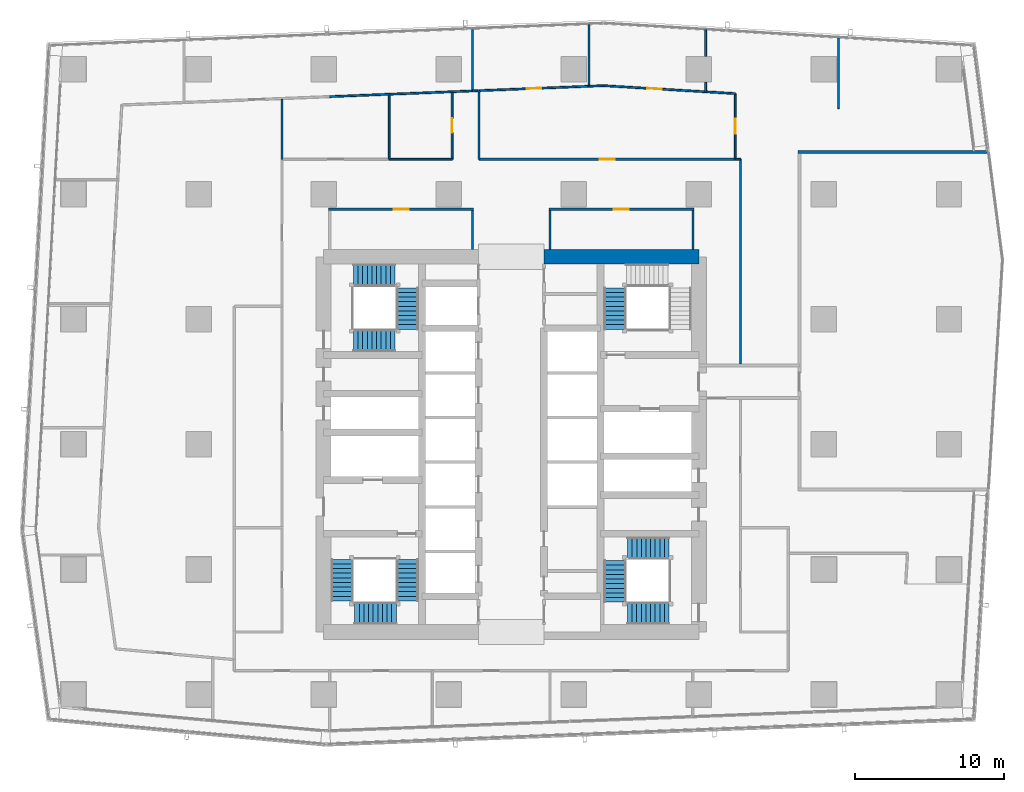
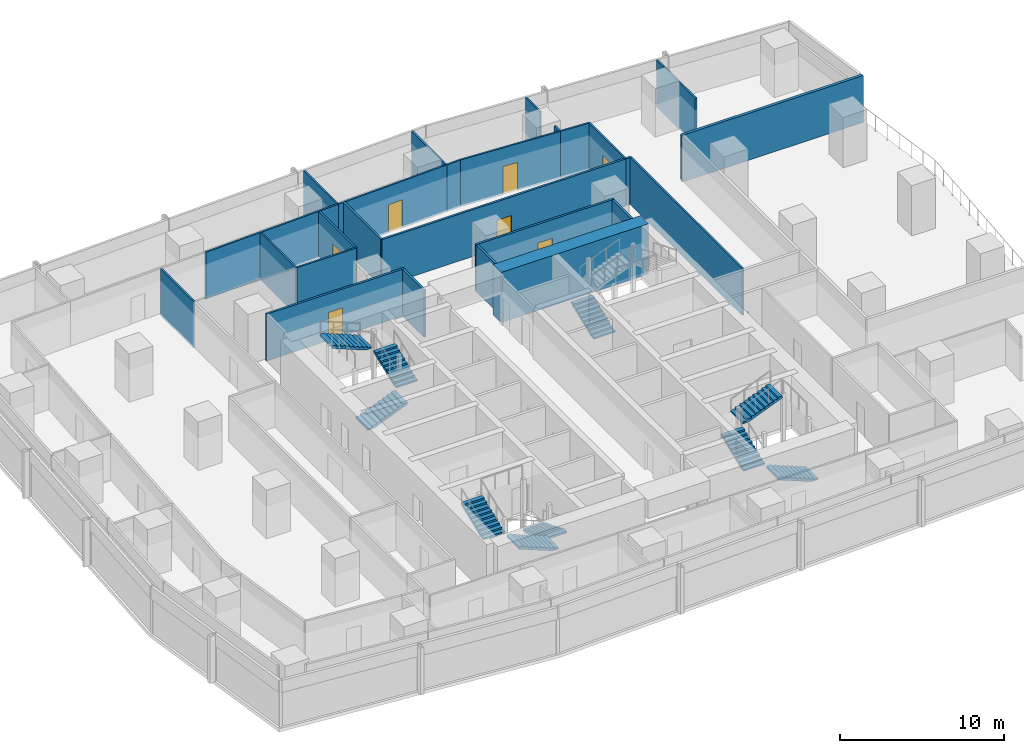
# One storey, part 31 of 40: 27 walls, 10 stair flights, 7 doors, 7 openings, 4 elements without a shape of their own.
"""IFC4 building model written with IfcOpenShell, lengths in metres."""

from ifc_helpers import new_model, si_unit, direction, frame, frame_2d, origin, place, context, subcontext, project, spatial, polyline, rectangle, outline, extrude, material, layer, layer_set, type_object, element, fill, aggregate, save


model = new_model("IFC4")

# Units and contexts
model_context = context("Model", 3, precision=1e-05, world=origin(), true_north=direction((0.0, 1.0)))
body_context = subcontext(model_context, "Body", "Model", "MODEL_VIEW")
ifc_project = project(units=[si_unit("LENGTHUNIT", "METRE"), si_unit("AREAUNIT", "SQUARE_METRE"), si_unit("VOLUMEUNIT", "CUBIC_METRE"), si_unit("PLANEANGLEUNIT", "RADIAN"), si_unit("MASSUNIT", "GRAM", prefix="KILO")], contexts=[model_context])

# Site, building, storey
site_placement = place(None, origin())
site = spatial("IfcSite", under=ifc_project, at=site_placement, CompositionType="ELEMENT")
building_placement = place(site_placement, origin())
building = spatial("IfcBuilding", under=site, at=building_placement, Name="Rekha Terrace Tower", CompositionType="ELEMENT")
storey_placement = place(building_placement, frame((0.0, 0.0, 129.050048828125)))
storey = spatial("IfcBuildingStorey", under=building, at=storey_placement, Name="L32", CompositionType="ELEMENT", Elevation=129.050048828125)

# Wall
ifc_material_1 = material(Name="Concrete M70", Category="concrete")
ifc_layer_1 = layer(ifc_material_1, 1.0)
ifc_layer_set_1 = layer_set([ifc_layer_1], Name="Concrete M70")
wall_type_1 = type_object("IfcWallType", Name="SW2 1000 core outer shear wall", PredefinedType="SHEAR", material=ifc_layer_set_1)
wall_1_placement = place(storey_placement, frame((40.0, 46.199951171875, 0.0), z_axis=(0.0, 0.0, 1.0), x_axis=(1.0, 0.0, 0.0)))
element("IfcWall", 1, at=wall_1_placement, inside=storey, type_object=wall_type_1, Name="Core wall N2 L32", PredefinedType="SHEAR", context=body_context, shape_type="SweptSolid", body=[
    extrude(rectangle(XDim=10.39990234375, YDim=1.0, at=frame_2d((5.199951171875, 0.0))), origin(), (0.0, 0.0, 1.0), 3.75),
])

# Wall, opening, door
ifc_material_2 = material(Name="Concrete block masonry, 1 hour", Category="masonry")
ifc_layer_2 = layer(ifc_material_2, 0.14990234375)
ifc_layer_set_2 = layer_set([ifc_layer_2], Name="Concrete block masonry, 1 hour")
wall_type_2 = type_object("IfcWallType", Name="WP2 150 tenancy partition", PredefinedType="PARTITIONING", material=ifc_layer_set_2)
wall_2_placement = place(storey_placement, frame((40.324951171875, 49.39990234375, 0.0), z_axis=(0.0, 0.0, 1.0), x_axis=(1.0, 0.0, 0.0)))
wall_2 = element("IfcWall", 2, at=wall_2_placement, inside=storey, type_object=wall_type_2, Name="Women's WC wall L32", PredefinedType="PARTITIONING", context=body_context, shape_type="SweptSolid", body=[
    extrude(rectangle(XDim=9.75, YDim=0.14990234375, at=frame_2d((4.875, 0.0))), origin(), (0.0, 0.0, 1.0), 3.5),
])
opening_1_placement = place(wall_2_placement, frame((4.375, 0.0, 0.0)))
opening_1 = element("IfcOpeningElement", 3, at=opening_1_placement, cuts=wall_2, Name="Opening D3", PredefinedType="OPENING", context=body_context, shape_type="SweptSolid", body=[
    extrude(rectangle(XDim=1.0, YDim=2.10009765625, at=frame_2d((0.5, 1.050048828125))), frame((0.0, 0.0849609375, 0.0), z_axis=(0.0, -1.0, 0.0), x_axis=(1.0, 0.0, 0.0)), (0.0, 0.0, 1.0), 0.169921875),
])
ifc_material_3 = material(Name="Laminated timber fire door", Category="wood")
door_type_1 = type_object("IfcDoorType", Name="D3 1000x2100 WC door", OperationType="SINGLE_SWING_LEFT", PredefinedType="DOOR", material=ifc_material_3)
door_1_placement = place(opening_1_placement, origin())
door_1 = element("IfcDoor", 4, at=door_1_placement, inside=storey, type_object=door_type_1, Name="Door women's wc L32", OperationType="SINGLE_SWING_LEFT", OverallHeight=2.10009765625, OverallWidth=1.0, PredefinedType="DOOR", context=body_context, shape_type="SweptSolid", body=[
    extrude(rectangle(XDim=1.0, YDim=2.10009765625, at=frame_2d((0.5, 1.050048828125))), frame((0.0, 0.02490234375, 0.0), z_axis=(0.0, -1.0, 0.0), x_axis=(1.0, 0.0, 0.0)), (0.0, 0.0, 1.0), 0.050048828125),
])
fill(opening_1, door_1)

# Walls
for number, where, z_axis, x_axis, name in (
    (5, (40.39990234375, 46.699951171875, 0.0), (0.0, 0.0, 1.0), (0.0, 1.0, 0.0), "Women's WC wall L32"),
    (6, (50.0, 46.699951171875, 0.0), (0.0, 0.0, 1.0), (0.0, 1.0, 0.0), "Women's WC wall L32"),
):
    element("IfcWall", number, at=place(storey_placement, frame(where, z_axis=z_axis, x_axis=x_axis)), inside=storey, type_object=wall_type_2, Name=name, PredefinedType="PARTITIONING", context=body_context, shape_type="SweptSolid", body=[
        extrude(rectangle(XDim=2.625, YDim=0.14990234375, at=frame_2d((1.3125, 0.0))), origin(), (0.0, 0.0, 1.0), 3.5),
    ])

# Wall, opening, door
wall_3_placement = place(storey_placement, frame((25.52490234375, 49.39990234375, 0.0), z_axis=(0.0, 0.0, 1.0), x_axis=(1.0, 0.0, 0.0)))
wall_3 = element("IfcWall", 7, at=wall_3_placement, inside=storey, type_object=wall_type_2, Name="Women's WC wall L32", PredefinedType="PARTITIONING", context=body_context, shape_type="SweptSolid", body=[
    extrude(rectangle(XDim=9.75, YDim=0.14990234375, at=frame_2d((4.875, 0.0))), origin(), (0.0, 0.0, 1.0), 3.5),
])
opening_2_placement = place(wall_3_placement, frame((4.375, 0.0, 0.0)))
opening_2 = element("IfcOpeningElement", 8, at=opening_2_placement, cuts=wall_3, Name="Opening D3", PredefinedType="OPENING", context=body_context, shape_type="SweptSolid", body=[
    extrude(rectangle(XDim=1.0, YDim=2.10009765625, at=frame_2d((0.5, 1.050048828125))), frame((0.0, 0.0849609375, 0.0), z_axis=(0.0, -1.0, 0.0), x_axis=(1.0, 0.0, 0.0)), (0.0, 0.0, 1.0), 0.169921875),
])
door_2_placement = place(opening_2_placement, origin())
door_2 = element("IfcDoor", 9, at=door_2_placement, inside=storey, type_object=door_type_1, Name="Door women's wc L32", OperationType="SINGLE_SWING_LEFT", OverallHeight=2.10009765625, OverallWidth=1.0, PredefinedType="DOOR", context=body_context, shape_type="SweptSolid", body=[
    extrude(rectangle(XDim=1.0, YDim=2.10009765625, at=frame_2d((0.5, 1.050048828125))), frame((0.0, 0.02490234375, 0.0), z_axis=(0.0, -1.0, 0.0), x_axis=(1.0, 0.0, 0.0)), (0.0, 0.0, 1.0), 0.050048828125),
])
fill(opening_2, door_2)

# Wall
wall_4_placement = place(storey_placement, frame((35.199951171875, 46.699951171875, 0.0), z_axis=(0.0, 0.0, 1.0), x_axis=(0.0, 1.0, 0.0)))
element("IfcWall", 10, at=wall_4_placement, inside=storey, type_object=wall_type_2, Name="Women's WC wall L32", PredefinedType="PARTITIONING", context=body_context, shape_type="SweptSolid", body=[
    extrude(rectangle(XDim=2.625, YDim=0.14990234375, at=frame_2d((1.3125, 0.0))), origin(), (0.0, 0.0, 1.0), 3.5),
])

# Wall, opening, door
wall_5_placement = place(storey_placement, frame((52.84912109375, 52.75, 0.0), z_axis=(0.0, 0.0, 1.0), x_axis=(-1.0, 0.0, 0.0)))
wall_5 = element("IfcWall", 11, at=wall_5_placement, inside=storey, type_object=wall_type_2, Name="Partition L32-O2", PredefinedType="PARTITIONING", context=body_context, shape_type="SweptSolid", body=[
    extrude(rectangle(XDim=17.22314453125, YDim=0.14990234375, at=frame_2d((8.611572265625, 0.0))), origin(), (0.0, 0.0, 1.0), 3.5),
])
opening_3_placement = place(wall_5_placement, frame((8.111083984375, 0.0, 0.0)))
opening_3 = element("IfcOpeningElement", 12, at=opening_3_placement, cuts=wall_5, Name="Opening D9", PredefinedType="OPENING", context=body_context, shape_type="SweptSolid", body=[
    extrude(rectangle(XDim=1.0, YDim=2.10009765625, at=frame_2d((0.5, 1.050048828125))), frame((0.0, 0.0849609375, 0.0), z_axis=(0.0, -1.0, 0.0), x_axis=(1.0, 0.0, 0.0)), (0.0, 0.0, 1.0), 0.169921875),
])
ifc_material_4 = material(Name="Timber fire door", Category="wood")
door_type_2 = type_object("IfcDoorType", Name="D9 1000x2100 office door", OperationType="SINGLE_SWING_LEFT", PredefinedType="DOOR", material=ifc_material_4)
door_3_placement = place(opening_3_placement, origin())
door_3 = element("IfcDoor", 13, at=door_3_placement, inside=storey, type_object=door_type_2, Name="Door open-plan office L32", OperationType="SINGLE_SWING_LEFT", OverallHeight=2.10009765625, OverallWidth=1.0, PredefinedType="DOOR", context=body_context, shape_type="SweptSolid", body=[
    extrude(rectangle(XDim=1.0, YDim=2.10009765625, at=frame_2d((0.5, 1.050048828125))), frame((0.0, 0.02490234375, 0.0), z_axis=(0.0, -1.0, 0.0), x_axis=(1.0, 0.0, 0.0)), (0.0, 0.0, 1.0), 0.050048828125),
])
fill(opening_3, door_3)

# Walls
wall_6_placement = place(storey_placement, frame((35.6259765625, 52.75, 0.0), z_axis=(0.0, 0.0, 1.0), x_axis=(0.0, 1.0, 0.0)))
element("IfcWall", 14, at=wall_6_placement, inside=storey, type_object=wall_type_2, Name="Partition L32-O2", PredefinedType="PARTITIONING", context=body_context, shape_type="SweptSolid", body=[
    extrude(rectangle(XDim=4.610107421875, YDim=0.14990234375, at=frame_2d((2.30517578125, 0.0))), origin(), (0.0, 0.0, 1.0), 3.5),
])
ifc_material_5 = material(Name="Two layers of fire-rated gypsum board each side on steel studs, acoustic quilt, 1 hour", Category="steel")
ifc_layer_3 = layer(ifc_material_5, 0.125)
ifc_layer_set_3 = layer_set([ifc_layer_3], Name="Two layers of fire-rated gypsum board each side on steel studs, acoustic quilt, 1 hour")
wall_type_3 = type_object("IfcWallType", Name="WP3 125 office partition", PredefinedType="PARTITIONING", material=ifc_layer_set_3)
wall_7_placement = place(storey_placement, frame((53.199951171875, 39.010986328125, 0.0), z_axis=(0.0, 0.0, 1.0), x_axis=(0.0, 1.0, 0.0)))
element("IfcWall", 15, at=wall_7_placement, inside=storey, type_object=wall_type_3, Name="Partition L32-03", PredefinedType="PARTITIONING", context=body_context, shape_type="SweptSolid", body=[
    extrude(rectangle(XDim=13.739013671875, YDim=0.125, at=frame_2d((6.86962890625, 0.0))), origin(), (0.0, 0.0, 1.0), 3.5),
])
wall_8_placement = place(storey_placement, frame((53.199951171875, 52.75, 0.0), z_axis=(0.0, 0.0, 1.0), x_axis=(-1.0, 0.0, 0.0)))
element("IfcWall", 16, at=wall_8_placement, inside=storey, type_object=wall_type_3, Name="Partition L32-03", PredefinedType="PARTITIONING", context=body_context, shape_type="SweptSolid", body=[
    extrude(rectangle(XDim=0.350830078125, YDim=0.125, at=frame_2d((0.17529296875, 0.0))), origin(), (0.0, 0.0, 1.0), 3.5),
])

# Wall, opening, door
wall_9_placement = place(storey_placement, frame((52.84912109375, 52.75, 0.0), z_axis=(0.0, 0.0, 1.0), x_axis=(0.0, 1.0, 0.0)))
wall_9 = element("IfcWall", 17, at=wall_9_placement, inside=storey, type_object=wall_type_3, Name="Partition L32-03", PredefinedType="PARTITIONING", context=body_context, shape_type="SweptSolid", body=[
    extrude(rectangle(XDim=4.4130859375, YDim=0.125, at=frame_2d((2.20654296875, 0.0))), origin(), (0.0, 0.0, 1.0), 3.5),
])
opening_4_placement = place(wall_9_placement, frame((1.7060546875, 0.0, 0.0)))
opening_4 = element("IfcOpeningElement", 18, at=opening_4_placement, cuts=wall_9, Name="Opening D9", PredefinedType="OPENING", context=body_context, shape_type="SweptSolid", body=[
    extrude(rectangle(XDim=1.0, YDim=2.10009765625, at=frame_2d((0.5, 1.050048828125))), frame((0.0, 0.072509765625, 0.0), z_axis=(0.0, -1.0, 0.0), x_axis=(1.0, 0.0, 0.0)), (0.0, 0.0, 1.0), 0.14501953125),
])
door_4_placement = place(opening_4_placement, origin())
door_4 = element("IfcDoor", 19, at=door_4_placement, inside=storey, type_object=door_type_2, Name="Door director's office L32", OperationType="SINGLE_SWING_LEFT", OverallHeight=2.10009765625, OverallWidth=1.0, PredefinedType="DOOR", context=body_context, shape_type="SweptSolid", body=[
    extrude(rectangle(XDim=1.0, YDim=2.10009765625, at=frame_2d((0.5, 1.050048828125))), frame((0.0, 0.02490234375, 0.0), z_axis=(0.0, -1.0, 0.0), x_axis=(1.0, 0.0, 0.0)), (0.0, 0.0, 1.0), 0.050048828125),
])
fill(opening_4, door_4)

# Walls
wall_10_placement = place(storey_placement, frame((52.84912109375, 57.1630859375, 0.0), z_axis=(0.0, 0.0, 1.0), x_axis=(-0.998201632436, 0.059945817212, 0.0)))
element("IfcWall", 20, at=wall_10_placement, inside=storey, type_object=wall_type_3, Name="Partition L32-03", PredefinedType="PARTITIONING", context=body_context, shape_type="SweptSolid", body=[
    extrude(rectangle(XDim=1.999755859375, YDim=0.125, at=frame_2d((1.0, 0.0))), origin(), (0.0, 0.0, 1.0), 3.5),
])
wall_11_placement = place(storey_placement, frame((50.85302734375, 57.282958984375, 0.0), z_axis=(0.0, 0.0, 1.0), x_axis=(0.0, 1.0, 0.0)))
element("IfcWall", 21, at=wall_11_placement, inside=storey, type_object=wall_type_3, Name="Partition L32-03", PredefinedType="PARTITIONING", context=body_context, shape_type="SweptSolid", body=[
    extrude(rectangle(XDim=0.64697265625, YDim=0.125, at=frame_2d((0.323486328125, 0.0))), origin(), (0.0, 0.0, 1.0), 3.5),
])
wall_12_placement = place(storey_placement, frame((50.85302734375, 59.669921875, 0.0), z_axis=(0.0, 0.0, 1.0), x_axis=(0.0, 1.0, 0.0)))
element("IfcWall", 22, at=wall_12_placement, inside=storey, type_object=wall_type_3, Name="Partition L32-03", PredefinedType="PARTITIONING", context=body_context, shape_type="SweptSolid", body=[
    extrude(rectangle(XDim=1.77001953125, YDim=0.125, at=frame_2d((0.885009765625, 0.0))), origin(), (0.0, 0.0, 1.0), 3.5),
])
wall_13_placement = place(storey_placement, frame((59.787109375, 60.903076171875, 0.0), z_axis=(0.0, 0.0, 1.0), x_axis=(0.0, -1.0, 0.0)))
element("IfcWall", 23, at=wall_13_placement, inside=storey, type_object=wall_type_3, Name="Partition L32-03", PredefinedType="PARTITIONING", context=body_context, shape_type="SweptSolid", body=[
    extrude(rectangle(XDim=4.7490234375, YDim=0.125, at=frame_2d((2.37451171875, 0.0))), origin(), (0.0, 0.0, 1.0), 3.5),
])
wall_14_placement = place(storey_placement, frame((43.02392578125, 57.656005859375, 0.0), z_axis=(0.0, 0.0, 1.0), x_axis=(0.0, 1.0, 0.0)))
element("IfcWall", 24, at=wall_14_placement, inside=storey, type_object=wall_type_3, Name="Partition L32-04", PredefinedType="PARTITIONING", context=body_context, shape_type="SweptSolid", body=[
    extrude(rectangle(XDim=4.153076171875, YDim=0.125, at=frame_2d((2.07666015625, 0.0))), origin(), (0.0, 0.0, 1.0), 3.5),
])

# Wall, opening, door
wall_15_placement = place(storey_placement, frame((50.85205078125, 57.282958984375, 0.0), z_axis=(0.0, 0.0, 1.0), x_axis=(-0.998198294197, 0.060001378841, 0.0)))
wall_15 = element("IfcWall", 25, at=wall_15_placement, inside=storey, type_object=wall_type_3, Name="Partition L32-04", PredefinedType="PARTITIONING", context=body_context, shape_type="SweptSolid", body=[
    extrude(rectangle(XDim=6.868408203125, YDim=0.125, at=frame_2d((3.43408203125, 0.0))), origin(), (0.0, 0.0, 1.0), 3.5),
])
opening_5_placement = place(wall_15_placement, frame((2.93408203125, 0.0, 0.0)))
opening_5 = element("IfcOpeningElement", 26, at=opening_5_placement, cuts=wall_15, Name="Opening D9", PredefinedType="OPENING", context=body_context, shape_type="SweptSolid", body=[
    extrude(rectangle(XDim=1.0, YDim=2.10009765625, at=frame_2d((0.5, 1.050048828125))), frame((0.0, 0.072509765625, 0.0), z_axis=(0.0, -1.0, 0.0), x_axis=(1.0, 0.0, 0.0)), (0.0, 0.0, 1.0), 0.14501953125),
])
door_5_placement = place(opening_5_placement, origin())
door_5 = element("IfcDoor", 27, at=door_5_placement, inside=storey, type_object=door_type_2, Name="Door office L32", OperationType="SINGLE_SWING_LEFT", OverallHeight=2.10009765625, OverallWidth=1.0, PredefinedType="DOOR", context=body_context, shape_type="SweptSolid", body=[
    extrude(rectangle(XDim=1.0, YDim=2.10009765625, at=frame_2d((0.5, 1.050048828125))), frame((0.0, 0.02490234375, 0.0), z_axis=(0.0, -1.0, 0.0), x_axis=(1.0, 0.0, 0.0)), (0.0, 0.0, 1.0), 0.050048828125),
])
fill(opening_5, door_5)

# Walls
wall_16_placement = place(storey_placement, frame((43.99609375, 57.695068359375, 0.0), z_axis=(0.0, 0.0, 1.0), x_axis=(-0.99919372727, -0.040148416967, 0.0)))
element("IfcWall", 28, at=wall_16_placement, inside=storey, type_object=wall_type_3, Name="Partition L32-04", PredefinedType="PARTITIONING", context=body_context, shape_type="SweptSolid", body=[
    extrude(rectangle(XDim=0.972900390625, YDim=0.125, at=frame_2d((0.486328125, 0.0))), origin(), (0.0, 0.0, 1.0), 3.5),
])
wall_17_placement = place(storey_placement, frame((35.551025390625, 57.35595703125, 0.0), z_axis=(0.0, 0.0, 1.0), x_axis=(-0.999219665836, -0.039497587346, 0.0)))
element("IfcWall", 29, at=wall_17_placement, inside=storey, type_object=wall_type_3, Name="Partition L32-05", PredefinedType="PARTITIONING", context=body_context, shape_type="SweptSolid", body=[
    extrude(rectangle(XDim=0.352294921875, YDim=0.125, at=frame_2d((0.17626953125, 0.0))), origin(), (0.0, 0.0, 1.0), 3.5),
])
wall_18_placement = place(storey_placement, frame((35.198974609375, 57.342041015625, 0.0), z_axis=(0.0, 0.0, 1.0), x_axis=(0.0, 1.0, 0.0)))
element("IfcWall", 30, at=wall_18_placement, inside=storey, type_object=wall_type_3, Name="Partition L32-05", PredefinedType="PARTITIONING", context=body_context, shape_type="SweptSolid", body=[
    extrude(rectangle(XDim=4.1240234375, YDim=0.125, at=frame_2d((2.06201171875, 0.0))), origin(), (0.0, 0.0, 1.0), 3.5),
])

# Wall, opening, door
wall_19_placement = place(storey_placement, frame((43.02294921875, 57.656005859375, 0.0), z_axis=(0.0, 0.0, 1.0), x_axis=(-0.999200853354, -0.039970672462, 0.0)))
wall_19 = element("IfcWall", 31, at=wall_19_placement, inside=storey, type_object=wall_type_3, Name="Partition L32-05", PredefinedType="PARTITIONING", context=body_context, shape_type="SweptSolid", body=[
    extrude(rectangle(XDim=7.40283203125, YDim=0.125, at=frame_2d((3.701416015625, 0.0))), origin(), (0.0, 0.0, 1.0), 3.5),
])
opening_6_placement = place(wall_19_placement, frame((3.200927734375, 0.0, 0.0)))
opening_6 = element("IfcOpeningElement", 32, at=opening_6_placement, cuts=wall_19, Name="Opening D9", PredefinedType="OPENING", context=body_context, shape_type="SweptSolid", body=[
    extrude(rectangle(XDim=1.0, YDim=2.10009765625, at=frame_2d((0.5, 1.050048828125))), frame((0.0, 0.072509765625, 0.0), z_axis=(0.0, -1.0, 0.0), x_axis=(1.0, 0.0, 0.0)), (0.0, 0.0, 1.0), 0.14501953125),
])
door_6_placement = place(opening_6_placement, origin())
door_6 = element("IfcDoor", 33, at=door_6_placement, inside=storey, type_object=door_type_2, Name="Door office L32", OperationType="SINGLE_SWING_LEFT", OverallHeight=2.10009765625, OverallWidth=1.0, PredefinedType="DOOR", context=body_context, shape_type="SweptSolid", body=[
    extrude(rectangle(XDim=1.0, YDim=2.10009765625, at=frame_2d((0.5, 1.050048828125))), frame((0.0, 0.02490234375, 0.0), z_axis=(0.0, -1.0, 0.0), x_axis=(1.0, 0.0, 0.0)), (0.0, 0.0, 1.0), 0.050048828125),
])
fill(opening_6, door_6)

# Walls
wall_20_placement = place(storey_placement, frame((35.197998046875, 57.342041015625, 0.0), z_axis=(0.0, 0.0, 1.0), x_axis=(-0.99920063391, -0.039976157823, 0.0)))
element("IfcWall", 34, at=wall_20_placement, inside=storey, type_object=wall_type_3, Name="Partition L32-06", PredefinedType="PARTITIONING", context=body_context, shape_type="SweptSolid", body=[
    extrude(rectangle(XDim=9.6064453125, YDim=0.125, at=frame_2d((4.80322265625, 0.0))), origin(), (0.0, 0.0, 1.0), 3.5),
])
wall_21_placement = place(storey_placement, frame((29.60009765625, 57.055908203125, 0.0), z_axis=(0.0, 0.0, 1.0), x_axis=(0.0, -1.0, 0.0)))
element("IfcWall", 35, at=wall_21_placement, inside=storey, type_object=wall_type_3, Name="Partition L32-09", PredefinedType="PARTITIONING", context=body_context, shape_type="SweptSolid", body=[
    extrude(rectangle(XDim=4.305908203125, YDim=0.125, at=frame_2d((2.15283203125, 0.0))), origin(), (0.0, 0.0, 1.0), 3.5),
])
wall_22_placement = place(storey_placement, frame((22.39990234375, 52.75, 0.0), z_axis=(0.0, 0.0, 1.0), x_axis=(0.0, 1.0, 0.0)))
element("IfcWall", 36, at=wall_22_placement, inside=storey, type_object=wall_type_3, Name="Partition L32-09", PredefinedType="PARTITIONING", context=body_context, shape_type="SweptSolid", body=[
    extrude(rectangle(XDim=4.01708984375, YDim=0.125, at=frame_2d((2.008544921875, 0.0))), origin(), (0.0, 0.0, 1.0), 3.5),
])

# Wall, opening, door
wall_23_placement = place(storey_placement, frame((33.825927734375, 57.22509765625, 0.0), z_axis=(0.0, 0.0, 1.0), x_axis=(0.0, -1.0, 0.0)))
wall_23 = element("IfcWall", 37, at=wall_23_placement, inside=storey, type_object=wall_type_3, Name="Partition L32-10", PredefinedType="PARTITIONING", context=body_context, shape_type="SweptSolid", body=[
    extrude(rectangle(XDim=4.47509765625, YDim=0.125, at=frame_2d((2.237548828125, 0.0))), origin(), (0.0, 0.0, 1.0), 3.5),
])
opening_7_placement = place(wall_23_placement, frame((1.7060546875, 0.0, 0.0)))
opening_7 = element("IfcOpeningElement", 38, at=opening_7_placement, cuts=wall_23, Name="Opening D9", PredefinedType="OPENING", context=body_context, shape_type="SweptSolid", body=[
    extrude(rectangle(XDim=1.0, YDim=2.10009765625, at=frame_2d((0.5, 1.050048828125))), frame((0.0, 0.072509765625, 0.0), z_axis=(0.0, -1.0, 0.0), x_axis=(1.0, 0.0, 0.0)), (0.0, 0.0, 1.0), 0.14501953125),
])
door_7_placement = place(opening_7_placement, origin())
door_7 = element("IfcDoor", 39, at=door_7_placement, inside=storey, type_object=door_type_2, Name="Door prayer room L32", OperationType="SINGLE_SWING_LEFT", OverallHeight=2.10009765625, OverallWidth=1.0, PredefinedType="DOOR", context=body_context, shape_type="SweptSolid", body=[
    extrude(rectangle(XDim=1.0, YDim=2.10009765625, at=frame_2d((0.5, 1.050048828125))), frame((0.0, 0.02490234375, 0.0), z_axis=(0.0, -1.0, 0.0), x_axis=(1.0, 0.0, 0.0)), (0.0, 0.0, 1.0), 0.050048828125),
])
fill(opening_7, door_7)

# Walls
wall_24_placement = place(storey_placement, frame((33.825927734375, 52.75, 0.0), z_axis=(0.0, 0.0, 1.0), x_axis=(-1.0, 0.0, 0.0)))
element("IfcWall", 40, at=wall_24_placement, inside=storey, type_object=wall_type_3, Name="Partition L32-10", PredefinedType="PARTITIONING", context=body_context, shape_type="SweptSolid", body=[
    extrude(rectangle(XDim=4.225830078125, YDim=0.125, at=frame_2d((2.11279296875, 0.0))), origin(), (0.0, 0.0, 1.0), 3.5),
])
ifc_material_6 = material(Name="Solid concrete block masonry, 2 hour", Category="masonry")
ifc_layer_4 = layer(ifc_material_6, 0.199951171875)
ifc_layer_set_4 = layer_set([ifc_layer_4], Name="Solid concrete block masonry, 2 hour")
wall_type_4 = type_object("IfcWallType", Name="WS1 200 stair and shaft enclosure", PredefinedType="PARTITIONING", material=ifc_layer_set_4)
wall_25_placement = place(storey_placement, frame((57.050048828125, 53.22509765625, 0.0), z_axis=(0.0, 0.0, 1.0), x_axis=(1.0, 0.0, 0.0)))
element("IfcWall", 41, at=wall_25_placement, inside=storey, type_object=wall_type_4, Name="Refuge area north wall L32", PredefinedType="PARTITIONING", context=body_context, shape_type="SweptSolid", body=[
    extrude(rectangle(XDim=12.81005859375, YDim=0.199951171875, at=frame_2d((6.405029296875, 0.0))), origin(), (0.0, 0.0, 1.0), 3.5),
])

# Stair, stair flights
ifc_material_7 = material(Name="Concrete M40", Category="concrete")
stair_type = type_object("IfcStairType", Name="ST30 stair, 30 risers of 125, going 310, 1500 wide flights, 3 flights", PredefinedType="HALF_TURN_STAIR", material=ifc_material_7)
stair_1_placement = place(storey_placement, origin())
stair_1 = element("IfcStair", 42, at=stair_1_placement, inside=storey, type_object=stair_type, Name="Stair ST1 L32 to L33", PredefinedType="HALF_TURN_STAIR")
stair_flight_type = type_object("IfcStairFlightType", Name="SF10 stair flight, 10 risers of 125, going 310, 1500 wide", PredefinedType="STRAIGHT", material=ifc_material_7)
stair_flight_1_placement = place(storey_placement, frame((30.824951171875, 25.875, 0.0), z_axis=(0.0, 0.0, 1.0), x_axis=(0.0, -1.0, 0.0)))
stair_flight_1 = element("IfcStairFlight", 43, at=stair_flight_1_placement, type_object=stair_flight_type, Name="ST1 flight 1", NumberOfRisers=10, NumberOfTreads=9, PredefinedType="STRAIGHT", RiserHeight=0.125, TreadLength=0.31, context=body_context, shape_type="SweptSolid", body=[
    extrude(outline(polyline([(0.0, 0.0), (0.0, 0.125), (0.31005859375, 0.125), (0.31005859375, 0.25), (0.6201171875, 0.25), (0.6201171875, 0.375), (0.929931640625, 0.375), (0.929931640625, 0.5), (1.239990234375, 0.5), (1.239990234375, 0.625), (1.550048828125, 0.625), (1.550048828125, 0.75), (1.860107421875, 0.75), (1.860107421875, 0.875), (2.169921875, 0.875), (2.169921875, 1.0), (2.47998046875, 1.0), (2.47998046875, 1.125), (2.7900390625, 1.125), (2.7900390625, 1.25), (2.7900390625, 0.96337890625), (0.40087890625, 0.0), (0.0, 0.0)])), frame((0.0, 0.75, 0.0), z_axis=(0.0, -1.0, 0.0), x_axis=(1.0, 0.0, 0.0)), (0.0, 0.0, 1.0), 1.5),
])
stair_flight_2_placement = place(storey_placement, frame((30.074951171875, 22.25, 1.25), z_axis=(0.0, 0.0, 1.0), x_axis=(-1.0, 0.0, 0.0)))
stair_flight_2 = element("IfcStairFlight", 44, at=stair_flight_2_placement, type_object=stair_flight_type, Name="ST1 flight 2", NumberOfRisers=10, NumberOfTreads=9, PredefinedType="STRAIGHT", RiserHeight=0.125, TreadLength=0.31, context=body_context, shape_type="SweptSolid", body=[
    extrude(outline(polyline([(0.0, 0.0), (0.0, 0.125), (0.31005859375, 0.125), (0.31005859375, 0.25), (0.6201171875, 0.25), (0.6201171875, 0.375), (0.929931640625, 0.375), (0.929931640625, 0.5), (1.239990234375, 0.5), (1.239990234375, 0.625), (1.550048828125, 0.625), (1.550048828125, 0.75), (1.860107421875, 0.75), (1.860107421875, 0.875), (2.169921875, 0.875), (2.169921875, 1.0), (2.47998046875, 1.0), (2.47998046875, 1.125), (2.7900390625, 1.125), (2.7900390625, 1.25), (2.7900390625, 0.96337890625), (0.40087890625, 0.0), (0.0, 0.0)])), frame((0.0, 0.75, 0.0), z_axis=(0.0, -1.0, 0.0), x_axis=(1.0, 0.0, 0.0)), (0.0, 0.0, 1.0), 1.5),
])
stair_flight_3_placement = place(storey_placement, frame((26.449951171875, 23.0849609375, 2.5), z_axis=(0.0, 0.0, 1.0), x_axis=(0.0, 1.0, 0.0)))
stair_flight_3 = element("IfcStairFlight", 45, at=stair_flight_3_placement, type_object=stair_flight_type, Name="ST1 flight 3", NumberOfRisers=10, NumberOfTreads=9, PredefinedType="STRAIGHT", RiserHeight=0.125, TreadLength=0.31, context=body_context, shape_type="SweptSolid", body=[
    extrude(outline(polyline([(0.0, 0.0), (0.0, 0.125), (0.31005859375, 0.125), (0.31005859375, 0.25), (0.6201171875, 0.25), (0.6201171875, 0.375), (0.929931640625, 0.375), (0.929931640625, 0.5), (1.239990234375, 0.5), (1.239990234375, 0.625), (1.550048828125, 0.625), (1.550048828125, 0.75), (1.860107421875, 0.75), (1.860107421875, 0.875), (2.169921875, 0.875), (2.169921875, 1.0), (2.47998046875, 1.0), (2.47998046875, 1.125), (2.7900390625, 1.125), (2.7900390625, 1.25), (2.7900390625, 0.96337890625), (0.40087890625, 0.0), (0.0, 0.0)])), frame((0.0, 0.75, 0.0), z_axis=(0.0, -1.0, 0.0), x_axis=(1.0, 0.0, 0.0)), (0.0, 0.0, 1.0), 1.5),
])
aggregate(stair_1, [stair_flight_1, stair_flight_2, stair_flight_3])

# Stair, stair flight
stair_2_placement = place(storey_placement, origin())
stair_2 = element("IfcStair", 46, at=stair_2_placement, inside=storey, type_object=stair_type, Name="Stair ST2 L32 to L33", PredefinedType="HALF_TURN_STAIR")
stair_flight_4_placement = place(storey_placement, frame((44.77490234375, 41.324951171875, 0.0), z_axis=(0.0, 0.0, 1.0), x_axis=(0.0, 1.0, 0.0)))
stair_flight_4 = element("IfcStairFlight", 47, at=stair_flight_4_placement, type_object=stair_flight_type, Name="ST2 flight 1", NumberOfRisers=10, NumberOfTreads=9, PredefinedType="STRAIGHT", RiserHeight=0.125, TreadLength=0.31, context=body_context, shape_type="SweptSolid", body=[
    extrude(outline(polyline([(0.0, 0.0), (0.0, 0.125), (0.31005859375, 0.125), (0.31005859375, 0.25), (0.6201171875, 0.25), (0.6201171875, 0.375), (0.929931640625, 0.375), (0.929931640625, 0.5), (1.239990234375, 0.5), (1.239990234375, 0.625), (1.550048828125, 0.625), (1.550048828125, 0.75), (1.860107421875, 0.75), (1.860107421875, 0.875), (2.169921875, 0.875), (2.169921875, 1.0), (2.47998046875, 1.0), (2.47998046875, 1.125), (2.7900390625, 1.125), (2.7900390625, 1.25), (2.7900390625, 0.96337890625), (0.40087890625, 0.0), (0.0, 0.0)])), frame((0.0, 0.75, 0.0), z_axis=(0.0, -1.0, 0.0), x_axis=(1.0, 0.0, 0.0)), (0.0, 0.0, 1.0), 1.5),
])
aggregate(stair_2, [stair_flight_4])

# Stair, stair flights
stair_3_placement = place(storey_placement, origin())
stair_3 = element("IfcStair", 48, at=stair_3_placement, inside=storey, type_object=stair_type, Name="Stair ST3 L32 to L33", PredefinedType="HALF_TURN_STAIR")
stair_flight_5_placement = place(storey_placement, frame((48.39990234375, 22.25, 0.0), z_axis=(0.0, 0.0, 1.0), x_axis=(-1.0, 0.0, 0.0)))
stair_flight_5 = element("IfcStairFlight", 49, at=stair_flight_5_placement, type_object=stair_flight_type, Name="ST3 flight 1", NumberOfRisers=10, NumberOfTreads=9, PredefinedType="STRAIGHT", RiserHeight=0.125, TreadLength=0.31, context=body_context, shape_type="SweptSolid", body=[
    extrude(outline(polyline([(0.0, 0.0), (0.0, 0.125), (0.31005859375, 0.125), (0.31005859375, 0.25), (0.6201171875, 0.25), (0.6201171875, 0.375), (0.929931640625, 0.375), (0.929931640625, 0.5), (1.239990234375, 0.5), (1.239990234375, 0.625), (1.550048828125, 0.625), (1.550048828125, 0.75), (1.860107421875, 0.75), (1.860107421875, 0.875), (2.169921875, 0.875), (2.169921875, 1.0), (2.47998046875, 1.0), (2.47998046875, 1.125), (2.7900390625, 1.125), (2.7900390625, 1.25), (2.7900390625, 0.96337890625), (0.40087890625, 0.0), (0.0, 0.0)])), frame((0.0, 0.75, 0.0), z_axis=(0.0, -1.0, 0.0), x_axis=(1.0, 0.0, 0.0)), (0.0, 0.0, 1.0), 1.5),
])
stair_flight_6_placement = place(storey_placement, frame((44.77490234375, 23.0, 1.25), z_axis=(0.0, 0.0, 1.0), x_axis=(0.0, 1.0, 0.0)))
stair_flight_6 = element("IfcStairFlight", 50, at=stair_flight_6_placement, type_object=stair_flight_type, Name="ST3 flight 2", NumberOfRisers=10, NumberOfTreads=9, PredefinedType="STRAIGHT", RiserHeight=0.125, TreadLength=0.31, context=body_context, shape_type="SweptSolid", body=[
    extrude(outline(polyline([(0.0, 0.0), (0.0, 0.125), (0.31005859375, 0.125), (0.31005859375, 0.25), (0.6201171875, 0.25), (0.6201171875, 0.375), (0.929931640625, 0.375), (0.929931640625, 0.5), (1.239990234375, 0.5), (1.239990234375, 0.625), (1.550048828125, 0.625), (1.550048828125, 0.75), (1.860107421875, 0.75), (1.860107421875, 0.875), (2.169921875, 0.875), (2.169921875, 1.0), (2.47998046875, 1.0), (2.47998046875, 1.125), (2.7900390625, 1.125), (2.7900390625, 1.25), (2.7900390625, 0.96337890625), (0.40087890625, 0.0), (0.0, 0.0)])), frame((0.0, 0.75, 0.0), z_axis=(0.0, -1.0, 0.0), x_axis=(1.0, 0.0, 0.0)), (0.0, 0.0, 1.0), 1.5),
])
stair_flight_7_placement = place(storey_placement, frame((45.610107421875, 26.625, 2.5), z_axis=(0.0, 0.0, 1.0), x_axis=(1.0, 0.0, 0.0)))
stair_flight_7 = element("IfcStairFlight", 51, at=stair_flight_7_placement, type_object=stair_flight_type, Name="ST3 flight 3", NumberOfRisers=10, NumberOfTreads=9, PredefinedType="STRAIGHT", RiserHeight=0.125, TreadLength=0.31, context=body_context, shape_type="SweptSolid", body=[
    extrude(outline(polyline([(0.0, 0.0), (0.0, 0.125), (0.31005859375, 0.125), (0.31005859375, 0.25), (0.6201171875, 0.25), (0.6201171875, 0.375), (0.929931640625, 0.375), (0.929931640625, 0.5), (1.239990234375, 0.5), (1.239990234375, 0.625), (1.550048828125, 0.625), (1.550048828125, 0.75), (1.860107421875, 0.75), (1.860107421875, 0.875), (2.169921875, 0.875), (2.169921875, 1.0), (2.47998046875, 1.0), (2.47998046875, 1.125), (2.7900390625, 1.125), (2.7900390625, 1.25), (2.7900390625, 0.96337890625), (0.40087890625, 0.0), (0.0, 0.0)])), frame((0.0, 0.75, 0.0), z_axis=(0.0, -1.0, 0.0), x_axis=(1.0, 0.0, 0.0)), (0.0, 0.0, 1.0), 1.5),
])
aggregate(stair_3, [stair_flight_5, stair_flight_6, stair_flight_7])

stair_4_placement = place(storey_placement, origin())
stair_4 = element("IfcStair", 52, at=stair_4_placement, inside=storey, type_object=stair_type, Name="Stair ST4 L32 to L33", PredefinedType="HALF_TURN_STAIR")
stair_flight_8_placement = place(storey_placement, frame((27.199951171875, 40.574951171875, 0.0), z_axis=(0.0, 0.0, 1.0), x_axis=(1.0, 0.0, 0.0)))
stair_flight_8 = element("IfcStairFlight", 53, at=stair_flight_8_placement, type_object=stair_flight_type, Name="ST4 flight 1", NumberOfRisers=10, NumberOfTreads=9, PredefinedType="STRAIGHT", RiserHeight=0.125, TreadLength=0.31, context=body_context, shape_type="SweptSolid", body=[
    extrude(outline(polyline([(0.0, 0.0), (0.0, 0.125), (0.31005859375, 0.125), (0.31005859375, 0.25), (0.6201171875, 0.25), (0.6201171875, 0.375), (0.929931640625, 0.375), (0.929931640625, 0.5), (1.239990234375, 0.5), (1.239990234375, 0.625), (1.550048828125, 0.625), (1.550048828125, 0.75), (1.860107421875, 0.75), (1.860107421875, 0.875), (2.169921875, 0.875), (2.169921875, 1.0), (2.47998046875, 1.0), (2.47998046875, 1.125), (2.7900390625, 1.125), (2.7900390625, 1.25), (2.7900390625, 0.96337890625), (0.40087890625, 0.0), (0.0, 0.0)])), frame((0.0, 0.75, 0.0), z_axis=(0.0, -1.0, 0.0), x_axis=(1.0, 0.0, 0.0)), (0.0, 0.0, 1.0), 1.5),
])
stair_flight_9_placement = place(storey_placement, frame((30.824951171875, 41.324951171875, 1.25), z_axis=(0.0, 0.0, 1.0), x_axis=(0.0, 1.0, 0.0)))
stair_flight_9 = element("IfcStairFlight", 54, at=stair_flight_9_placement, type_object=stair_flight_type, Name="ST4 flight 2", NumberOfRisers=10, NumberOfTreads=9, PredefinedType="STRAIGHT", RiserHeight=0.125, TreadLength=0.31, context=body_context, shape_type="SweptSolid", body=[
    extrude(outline(polyline([(0.0, 0.0), (0.0, 0.125), (0.31005859375, 0.125), (0.31005859375, 0.25), (0.6201171875, 0.25), (0.6201171875, 0.375), (0.929931640625, 0.375), (0.929931640625, 0.5), (1.239990234375, 0.5), (1.239990234375, 0.625), (1.550048828125, 0.625), (1.550048828125, 0.75), (1.860107421875, 0.75), (1.860107421875, 0.875), (2.169921875, 0.875), (2.169921875, 1.0), (2.47998046875, 1.0), (2.47998046875, 1.125), (2.7900390625, 1.125), (2.7900390625, 1.25), (2.7900390625, 0.96337890625), (0.40087890625, 0.0), (0.0, 0.0)])), frame((0.0, 0.75, 0.0), z_axis=(0.0, -1.0, 0.0), x_axis=(1.0, 0.0, 0.0)), (0.0, 0.0, 1.0), 1.5),
])
stair_flight_10_placement = place(storey_placement, frame((29.989990234375, 44.949951171875, 2.5), z_axis=(0.0, 0.0, 1.0), x_axis=(-1.0, 0.0, 0.0)))
stair_flight_10 = element("IfcStairFlight", 55, at=stair_flight_10_placement, type_object=stair_flight_type, Name="ST4 flight 3", NumberOfRisers=10, NumberOfTreads=9, PredefinedType="STRAIGHT", RiserHeight=0.125, TreadLength=0.31, context=body_context, shape_type="SweptSolid", body=[
    extrude(outline(polyline([(0.0, 0.0), (0.0, 0.125), (0.31005859375, 0.125), (0.31005859375, 0.25), (0.6201171875, 0.25), (0.6201171875, 0.375), (0.929931640625, 0.375), (0.929931640625, 0.5), (1.239990234375, 0.5), (1.239990234375, 0.625), (1.550048828125, 0.625), (1.550048828125, 0.75), (1.860107421875, 0.75), (1.860107421875, 0.875), (2.169921875, 0.875), (2.169921875, 1.0), (2.47998046875, 1.0), (2.47998046875, 1.125), (2.7900390625, 1.125), (2.7900390625, 1.25), (2.7900390625, 0.96337890625), (0.40087890625, 0.0), (0.0, 0.0)])), frame((0.0, 0.75, 0.0), z_axis=(0.0, -1.0, 0.0), x_axis=(1.0, 0.0, 0.0)), (0.0, 0.0, 1.0), 1.5),
])
aggregate(stair_4, [stair_flight_8, stair_flight_9, stair_flight_10])

save(model, "model.ifc")
